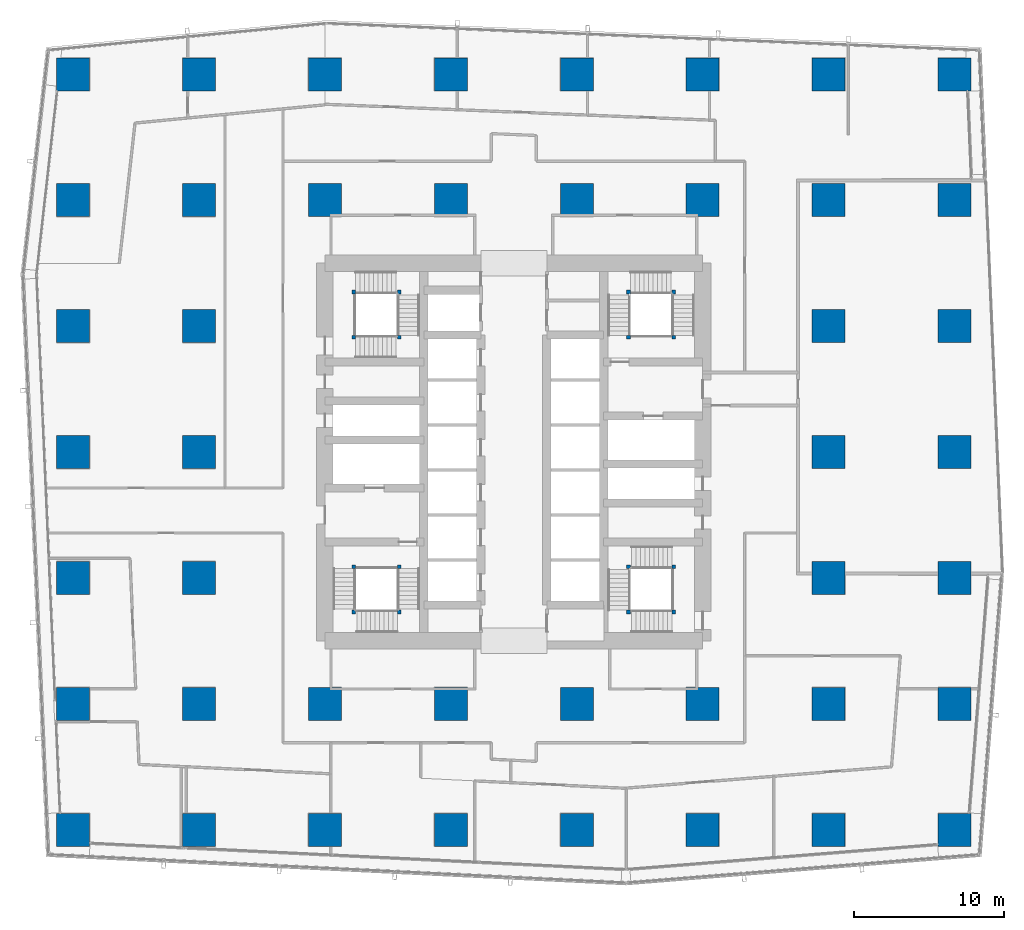
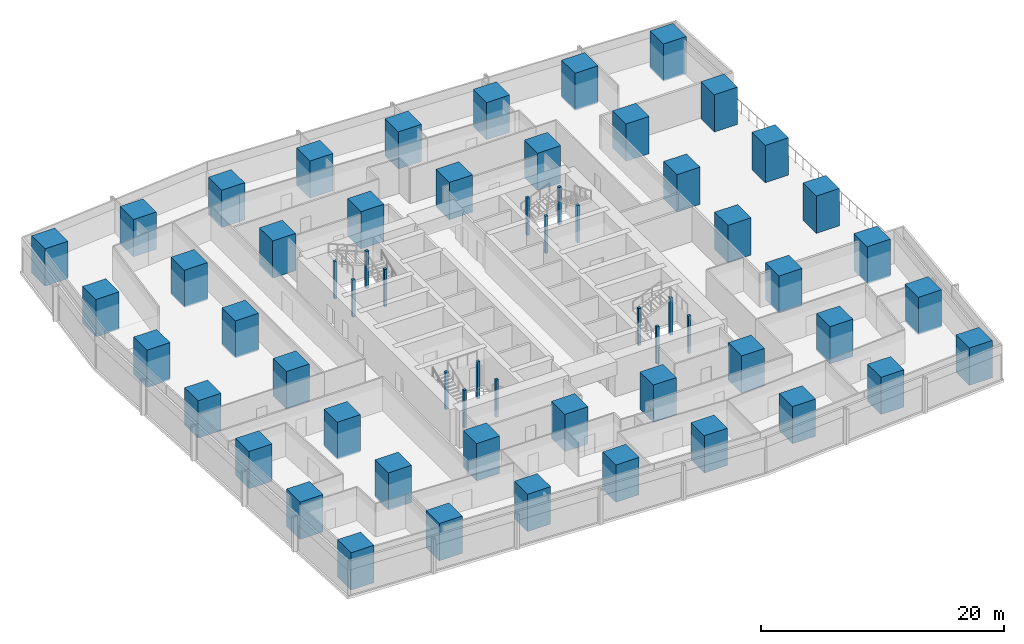
# One storey, part 1 of 42: 60 columns.
"""IFC4 building model written with IfcOpenShell, lengths in metres."""

from ifc_helpers import new_model, si_unit, direction, frame, origin, origin_2d, place, context, subcontext, project, spatial, rectangle, extrude, material, material_profile, profile_set, type_object, element, save


model = new_model("IFC4")

# Units and contexts
model_context = context("Model", 3, precision=1e-05, world=origin(), true_north=direction((0.0, 1.0)))
body_context = subcontext(model_context, "Body", "Model", "MODEL_VIEW")
ifc_project = project(units=[si_unit("LENGTHUNIT", "METRE"), si_unit("AREAUNIT", "SQUARE_METRE"), si_unit("VOLUMEUNIT", "CUBIC_METRE"), si_unit("PLANEANGLEUNIT", "RADIAN"), si_unit("MASSUNIT", "GRAM", prefix="KILO")], contexts=[model_context])

# Site, building, storey
site_placement = place(None, origin())
site = spatial("IfcSite", under=ifc_project, at=site_placement, CompositionType="ELEMENT")
building_placement = place(site_placement, origin())
building = spatial("IfcBuilding", under=site, at=building_placement, Name="Rekha Terrace Tower", CompositionType="ELEMENT")
storey_placement = place(building_placement, frame((0.0, 0.0, 70.39990234375)))
storey = spatial("IfcBuildingStorey", under=building, at=storey_placement, Name="L17", CompositionType="ELEMENT", Elevation=70.39990234375)

# Columns
ifc_material_1 = material(Name="Concrete M70", Category="concrete")
ifc_material_profile_1 = material_profile(ifc_material_1, rectangle(XDim=2.199951171875, YDim=2.199951171875, at=origin_2d()), Name="RC 2200x2200")
ifc_profile_set_1 = profile_set([ifc_material_profile_1], Name="Concrete M70")
column_type_1 = type_object("IfcColumnType", Name="C2 2200x2200 column", PredefinedType="COLUMN", material=ifc_profile_set_1)
for number, where, z_axis, x_axis, name in (
    (1, (8.39990234375, 8.39990234375, 0.0), (0.0, 0.0, 1.0), (1.0, 0.0, 0.0), "Column C2 2/B L17"),
    (2, (8.39990234375, 16.800048828125, 0.0), (0.0, 0.0, 1.0), (1.0, 0.0, 0.0), "Column C2 2/C L17"),
    (3, (8.39990234375, 25.199951171875, 0.0), (0.0, 0.0, 1.0), (1.0, 0.0, 0.0), "Column C2 2/D L17"),
    (4, (8.39990234375, 33.60009765625, 0.0), (0.0, 0.0, 1.0), (1.0, 0.0, 0.0), "Column C2 2/E L17"),
    (5, (8.39990234375, 42.0, 0.0), (0.0, 0.0, 1.0), (1.0, 0.0, 0.0), "Column C2 2/F L17"),
    (6, (8.39990234375, 50.39990234375, 0.0), (0.0, 0.0, 1.0), (1.0, 0.0, 0.0), "Column C2 2/G L17"),
    (7, (8.39990234375, 58.800048828125, 0.0), (0.0, 0.0, 1.0), (1.0, 0.0, 0.0), "Column C2 2/H L17"),
    (8, (16.800048828125, 8.39990234375, 0.0), (0.0, 0.0, 1.0), (1.0, 0.0, 0.0), "Column C2 3/B L17"),
    (9, (16.800048828125, 16.800048828125, 0.0), (0.0, 0.0, 1.0), (1.0, 0.0, 0.0), "Column C2 3/C L17"),
    (10, (16.800048828125, 25.199951171875, 0.0), (0.0, 0.0, 1.0), (1.0, 0.0, 0.0), "Column C2 3/D L17"),
    (11, (16.800048828125, 33.60009765625, 0.0), (0.0, 0.0, 1.0), (1.0, 0.0, 0.0), "Column C2 3/E L17"),
    (12, (16.800048828125, 42.0, 0.0), (0.0, 0.0, 1.0), (1.0, 0.0, 0.0), "Column C2 3/F L17"),
    (13, (16.800048828125, 50.39990234375, 0.0), (0.0, 0.0, 1.0), (1.0, 0.0, 0.0), "Column C2 3/G L17"),
    (14, (16.800048828125, 58.800048828125, 0.0), (0.0, 0.0, 1.0), (1.0, 0.0, 0.0), "Column C2 3/H L17"),
    (15, (25.199951171875, 8.39990234375, 0.0), (0.0, 0.0, 1.0), (1.0, 0.0, 0.0), "Column C2 4/B L17"),
    (16, (25.199951171875, 16.800048828125, 0.0), (0.0, 0.0, 1.0), (1.0, 0.0, 0.0), "Column C2 4/C L17"),
    (17, (25.199951171875, 50.39990234375, 0.0), (0.0, 0.0, 1.0), (1.0, 0.0, 0.0), "Column C2 4/G L17"),
    (18, (25.199951171875, 58.800048828125, 0.0), (0.0, 0.0, 1.0), (1.0, 0.0, 0.0), "Column C2 4/H L17"),
    (19, (33.60009765625, 8.39990234375, 0.0), (0.0, 0.0, 1.0), (1.0, 0.0, 0.0), "Column C2 5/B L17"),
    (20, (33.60009765625, 16.800048828125, 0.0), (0.0, 0.0, 1.0), (1.0, 0.0, 0.0), "Column C2 5/C L17"),
    (21, (33.60009765625, 50.39990234375, 0.0), (0.0, 0.0, 1.0), (1.0, 0.0, 0.0), "Column C2 5/G L17"),
    (22, (33.60009765625, 58.800048828125, 0.0), (0.0, 0.0, 1.0), (1.0, 0.0, 0.0), "Column C2 5/H L17"),
    (23, (42.0, 8.39990234375, 0.0), (0.0, 0.0, 1.0), (1.0, 0.0, 0.0), "Column C2 6/B L17"),
    (24, (42.0, 16.800048828125, 0.0), (0.0, 0.0, 1.0), (1.0, 0.0, 0.0), "Column C2 6/C L17"),
    (25, (42.0, 50.39990234375, 0.0), (0.0, 0.0, 1.0), (1.0, 0.0, 0.0), "Column C2 6/G L17"),
    (26, (42.0, 58.800048828125, 0.0), (0.0, 0.0, 1.0), (1.0, 0.0, 0.0), "Column C2 6/H L17"),
    (27, (50.39990234375, 8.39990234375, 0.0), (0.0, 0.0, 1.0), (1.0, 0.0, 0.0), "Column C2 7/B L17"),
    (28, (50.39990234375, 16.800048828125, 0.0), (0.0, 0.0, 1.0), (1.0, 0.0, 0.0), "Column C2 7/C L17"),
    (29, (50.39990234375, 50.39990234375, 0.0), (0.0, 0.0, 1.0), (1.0, 0.0, 0.0), "Column C2 7/G L17"),
    (30, (50.39990234375, 58.800048828125, 0.0), (0.0, 0.0, 1.0), (1.0, 0.0, 0.0), "Column C2 7/H L17"),
    (31, (58.800048828125, 8.39990234375, 0.0), (0.0, 0.0, 1.0), (1.0, 0.0, 0.0), "Column C2 8/B L17"),
    (32, (58.800048828125, 16.800048828125, 0.0), (0.0, 0.0, 1.0), (1.0, 0.0, 0.0), "Column C2 8/C L17"),
    (33, (58.800048828125, 25.199951171875, 0.0), (0.0, 0.0, 1.0), (1.0, 0.0, 0.0), "Column C2 8/D L17"),
    (34, (58.800048828125, 33.60009765625, 0.0), (0.0, 0.0, 1.0), (1.0, 0.0, 0.0), "Column C2 8/E L17"),
    (35, (58.800048828125, 42.0, 0.0), (0.0, 0.0, 1.0), (1.0, 0.0, 0.0), "Column C2 8/F L17"),
    (36, (58.800048828125, 50.39990234375, 0.0), (0.0, 0.0, 1.0), (1.0, 0.0, 0.0), "Column C2 8/G L17"),
    (37, (58.800048828125, 58.800048828125, 0.0), (0.0, 0.0, 1.0), (1.0, 0.0, 0.0), "Column C2 8/H L17"),
    (38, (67.199951171875, 8.39990234375, 0.0), (0.0, 0.0, 1.0), (1.0, 0.0, 0.0), "Column C2 9/B L17"),
    (39, (67.199951171875, 16.800048828125, 0.0), (0.0, 0.0, 1.0), (1.0, 0.0, 0.0), "Column C2 9/C L17"),
    (40, (67.199951171875, 25.199951171875, 0.0), (0.0, 0.0, 1.0), (1.0, 0.0, 0.0), "Column C2 9/D L17"),
    (41, (67.199951171875, 33.60009765625, 0.0), (0.0, 0.0, 1.0), (1.0, 0.0, 0.0), "Column C2 9/E L17"),
    (42, (67.199951171875, 42.0, 0.0), (0.0, 0.0, 1.0), (1.0, 0.0, 0.0), "Column C2 9/F L17"),
    (43, (67.199951171875, 50.39990234375, 0.0), (0.0, 0.0, 1.0), (1.0, 0.0, 0.0), "Column C2 9/G L17"),
    (44, (67.199951171875, 58.800048828125, 0.0), (0.0, 0.0, 1.0), (1.0, 0.0, 0.0), "Column C2 9/H L17"),
):
    element("IfcColumn", number, at=place(storey_placement, frame(where, z_axis=z_axis, x_axis=x_axis)), inside=storey, type_object=column_type_1, Name=name, PredefinedType="COLUMN", context=body_context, shape_type="SweptSolid", body=[
        extrude(rectangle(XDim=2.199951171875, YDim=2.199951171875, at=origin_2d()), origin(), (0.0, 0.0, 1.0), 3.75),
    ])
ifc_material_2 = material(Name="Concrete M60", Category="concrete")
ifc_material_profile_2 = material_profile(ifc_material_2, rectangle(XDim=0.25, YDim=0.25, at=origin_2d()), Name="RC 250x250")
ifc_profile_set_2 = profile_set([ifc_material_profile_2], Name="Concrete M60")
column_type_2 = type_object("IfcColumnType", Name="NP1 250x250 stair newel post", PredefinedType="COLUMN", material=ifc_profile_set_2)
for number, where, z_axis, x_axis, name in (
    (45, (30.14990234375, 25.949951171875, 0.0), (0.0, 0.0, 1.0), (1.0, 0.0, 0.0), "Stair newel post NP1"),
    (46, (30.14990234375, 22.925048828125, 0.0), (0.0, 0.0, 1.0), (1.0, 0.0, 0.0), "Stair newel post NP1"),
    (47, (27.125, 22.925048828125, 0.0), (0.0, 0.0, 1.0), (1.0, 0.0, 0.0), "Stair newel post NP1"),
    (48, (27.125, 25.949951171875, 0.0), (0.0, 0.0, 1.0), (1.0, 0.0, 0.0), "Stair newel post NP1"),
    (49, (45.449951171875, 41.25, 0.0), (0.0, 0.0, 1.0), (1.0, 0.0, 0.0), "Stair newel post NP1"),
    (50, (45.449951171875, 44.27490234375, 0.0), (0.0, 0.0, 1.0), (1.0, 0.0, 0.0), "Stair newel post NP1"),
    (51, (48.47509765625, 44.27490234375, 0.0), (0.0, 0.0, 1.0), (1.0, 0.0, 0.0), "Stair newel post NP1"),
    (52, (48.47509765625, 41.25, 0.0), (0.0, 0.0, 1.0), (1.0, 0.0, 0.0), "Stair newel post NP1"),
    (53, (48.47509765625, 22.925048828125, 0.0), (0.0, 0.0, 1.0), (1.0, 0.0, 0.0), "Stair newel post NP1"),
    (54, (45.449951171875, 22.925048828125, 0.0), (0.0, 0.0, 1.0), (1.0, 0.0, 0.0), "Stair newel post NP1"),
    (55, (45.449951171875, 25.949951171875, 0.0), (0.0, 0.0, 1.0), (1.0, 0.0, 0.0), "Stair newel post NP1"),
    (56, (48.47509765625, 25.949951171875, 0.0), (0.0, 0.0, 1.0), (1.0, 0.0, 0.0), "Stair newel post NP1"),
    (57, (27.125, 41.25, 0.0), (0.0, 0.0, 1.0), (1.0, 0.0, 0.0), "Stair newel post NP1"),
    (58, (30.14990234375, 41.25, 0.0), (0.0, 0.0, 1.0), (1.0, 0.0, 0.0), "Stair newel post NP1"),
    (59, (30.14990234375, 44.27490234375, 0.0), (0.0, 0.0, 1.0), (1.0, 0.0, 0.0), "Stair newel post NP1"),
    (60, (27.125, 44.27490234375, 0.0), (0.0, 0.0, 1.0), (1.0, 0.0, 0.0), "Stair newel post NP1"),
):
    element("IfcColumn", number, at=place(storey_placement, frame(where, z_axis=z_axis, x_axis=x_axis)), inside=storey, type_object=column_type_2, Name=name, PredefinedType="COLUMN", context=body_context, shape_type="SweptSolid", body=[
        extrude(rectangle(XDim=0.25, YDim=0.25, at=origin_2d()), origin(), (0.0, 0.0, 1.0), 3.75),
    ])

save(model, "model.ifc")
